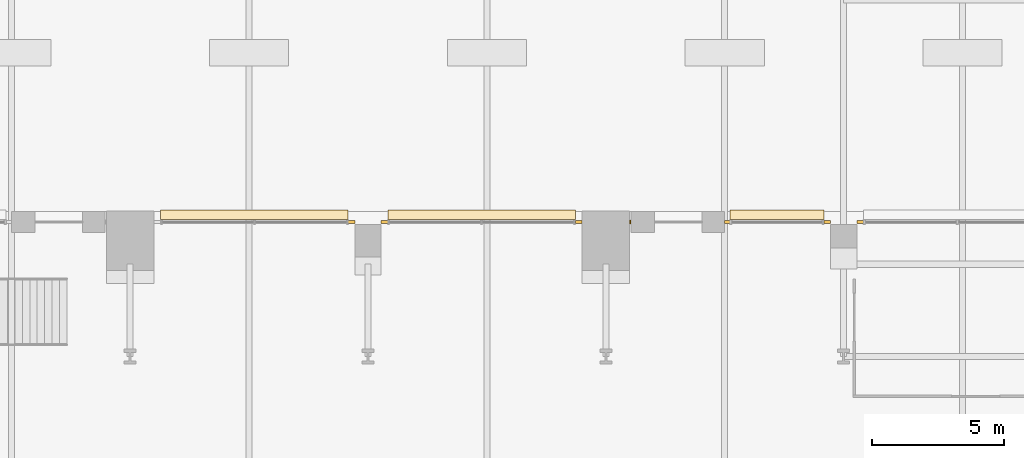
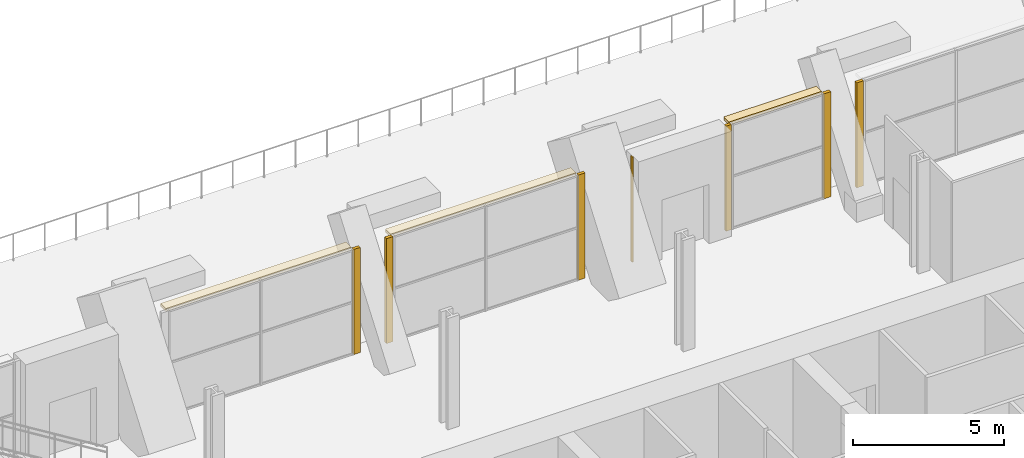
# One storey, part 23 of 26: 10 coverings.
"""IFC4 building model written with IfcOpenShell, lengths in metres."""

from ifc_helpers import new_model, si_unit, direction, frame, origin, origin_2d, place, context, subcontext, project, spatial, polyline, rectangle, outline, extrude, material, layer, layer_set, type_object, element, save


model = new_model("IFC4")

# Units and contexts
model_context = context("Model", 3, precision=1e-05, world=origin(), true_north=direction((0.0, 1.0)))
body_context = subcontext(model_context, "Body", "Model", "MODEL_VIEW")
ifc_project = project(units=[si_unit("LENGTHUNIT", "METRE"), si_unit("AREAUNIT", "SQUARE_METRE"), si_unit("VOLUMEUNIT", "CUBIC_METRE"), si_unit("PLANEANGLEUNIT", "RADIAN"), si_unit("MASSUNIT", "GRAM", prefix="KILO")], contexts=[model_context])

# Site, building, storey
site_placement = place(None, origin())
site = spatial("IfcSite", under=ifc_project, at=site_placement, CompositionType="ELEMENT")
building_placement = place(site_placement, origin())
building = spatial("IfcBuilding", under=site, at=building_placement, Name="Zellij Exchange Tower", CompositionType="ELEMENT")
storey_placement = place(building_placement, frame((0.0, 0.0, 39.0)))
storey = spatial("IfcBuildingStorey", under=building, at=storey_placement, Name="L06", CompositionType="ELEMENT", Elevation=39.0)

# Coverings
ifc_material_1 = material(Name="Limestone cladding", Category="masonry")
ifc_layer_1 = layer(ifc_material_1, 0.1201171875)
ifc_layer_set_1 = layer_set([ifc_layer_1], Name="Limestone cladding")
covering_type_1 = type_object("IfcCoveringType", Name="ENV-CV18 Glazing closer 120", PredefinedType="CLADDING", material=ifc_layer_set_1)
for number, where, z_axis, x_axis, name in (
    (1, (18.625, 9.60009765625, 0.0), (0.0, 0.0, 1.0), (-1.0, 0.0, 0.0), "Glazing closer"),
    (2, (17.375, 9.60009765625, 0.0), (0.0, 0.0, 1.0), (1.0, 0.0, 0.0), "Glazing closer"),
    (3, (0.625, 9.60009765625, 0.0), (0.0, 0.0, 1.0), (-1.0, 0.0, 0.0), "Glazing closer"),
    (4, (-0.625, 9.60009765625, 0.0), (0.0, 0.0, 1.0), (1.0, 0.0, 0.0), "Glazing closer"),
    (5, (7.97509765625, 9.60009765625, 0.0), (0.0, 0.0, 1.0), (1.0, 0.0, 0.0), "Glazing closer"),
):
    element("IfcCovering", number, at=place(storey_placement, frame(where, z_axis=z_axis, x_axis=x_axis)), inside=storey, type_object=covering_type_1, Name=name, PredefinedType="CLADDING", context=body_context, shape_type="SweptSolid", body=[
        extrude(rectangle(XDim=0.25, YDim=0.1201171875, at=origin_2d()), origin(), (0.0, 0.0, 1.0), 4.25),
    ])
covering_1_placement = place(storey_placement, frame((13.60009765625, 9.60009765625, 0.0), z_axis=(0.0, 0.0, 1.0), x_axis=(-1.0, 0.0, 0.0)))
element("IfcCovering", 6, at=covering_1_placement, inside=storey, type_object=covering_type_1, Name="Glazing closer", PredefinedType="CLADDING", context=body_context, shape_type="SweptSolid", body=[
    extrude(rectangle(XDim=0.199951171875, YDim=0.1201171875, at=origin_2d()), origin(), (0.0, 0.0, 1.0), 4.25),
])
covering_2_placement = place(storey_placement, frame((9.925048828125, 9.60009765625, 0.0), z_axis=(0.0, 0.0, 1.0), x_axis=(-1.0, 0.0, 0.0)))
element("IfcCovering", 7, at=covering_2_placement, inside=storey, type_object=covering_type_1, Name="Glazing closer", PredefinedType="CLADDING", context=body_context, shape_type="SweptSolid", body=[
    extrude(rectangle(XDim=0.050048828125, YDim=0.1201171875, at=origin_2d()), origin(), (0.0, 0.0, 1.0), 4.25),
])
ifc_material_2 = material(Name="Limestone sunshade", Category="masonry")
ifc_layer_2 = layer(ifc_material_2, 0.1201171875)
ifc_layer_set_2 = layer_set([ifc_layer_2], Name="Limestone sunshade")
covering_type_2 = type_object("IfcCoveringType", Name="ENV-SC2 Stone sunshade 120", PredefinedType="USERDEFINED", material=ifc_layer_set_2)
covering_3_placement = place(storey_placement, frame((0.0, 0.0, 4.1298828125)))
element("IfcCovering", 8, at=covering_3_placement, inside=storey, type_object=covering_type_2, Name="Stone sunshade", ObjectType="SUNSHADE", PredefinedType="USERDEFINED", context=body_context, shape_type="SweptSolid", body=[
    extrude(outline(polyline([(17.25, 9.699951171875), (13.699951171875, 9.699951171875), (13.699951171875, 10.050048828125), (17.25, 10.050048828125), (17.25, 9.699951171875)])), origin(), (0.0, 0.0, 1.0), 0.1201171875),
])
covering_4_placement = place(storey_placement, frame((0.0, 0.0, 4.1298828125)))
element("IfcCovering", 9, at=covering_4_placement, inside=storey, type_object=covering_type_2, Name="Stone sunshade", ObjectType="SUNSHADE", PredefinedType="USERDEFINED", context=body_context, shape_type="SweptSolid", body=[
    extrude(outline(polyline([(7.85009765625, 9.699951171875), (0.75, 9.699951171875), (0.75, 10.050048828125), (7.85009765625, 10.050048828125), (7.85009765625, 9.699951171875)])), origin(), (0.0, 0.0, 1.0), 0.1201171875),
])
covering_5_placement = place(storey_placement, frame((0.0, 0.0, 4.1298828125)))
element("IfcCovering", 10, at=covering_5_placement, inside=storey, type_object=covering_type_2, Name="Stone sunshade", ObjectType="SUNSHADE", PredefinedType="USERDEFINED", context=body_context, shape_type="SweptSolid", body=[
    extrude(outline(polyline([(-0.75, 9.699951171875), (-7.85009765625, 9.699951171875), (-7.85009765625, 10.050048828125), (-0.75, 10.050048828125), (-0.75, 9.699951171875)])), origin(), (0.0, 0.0, 1.0), 0.1201171875),
])

save(model, "model.ifc")
